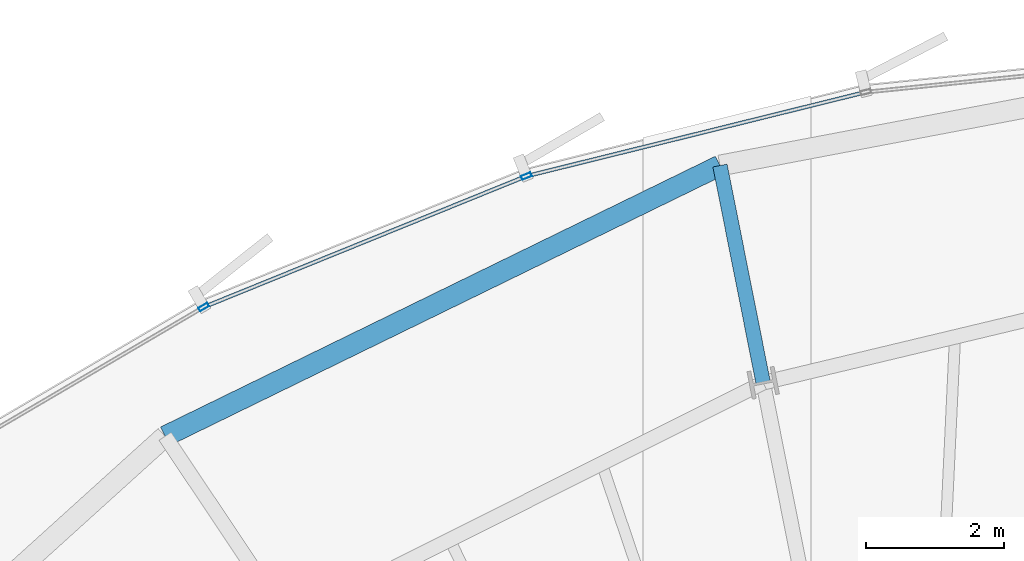
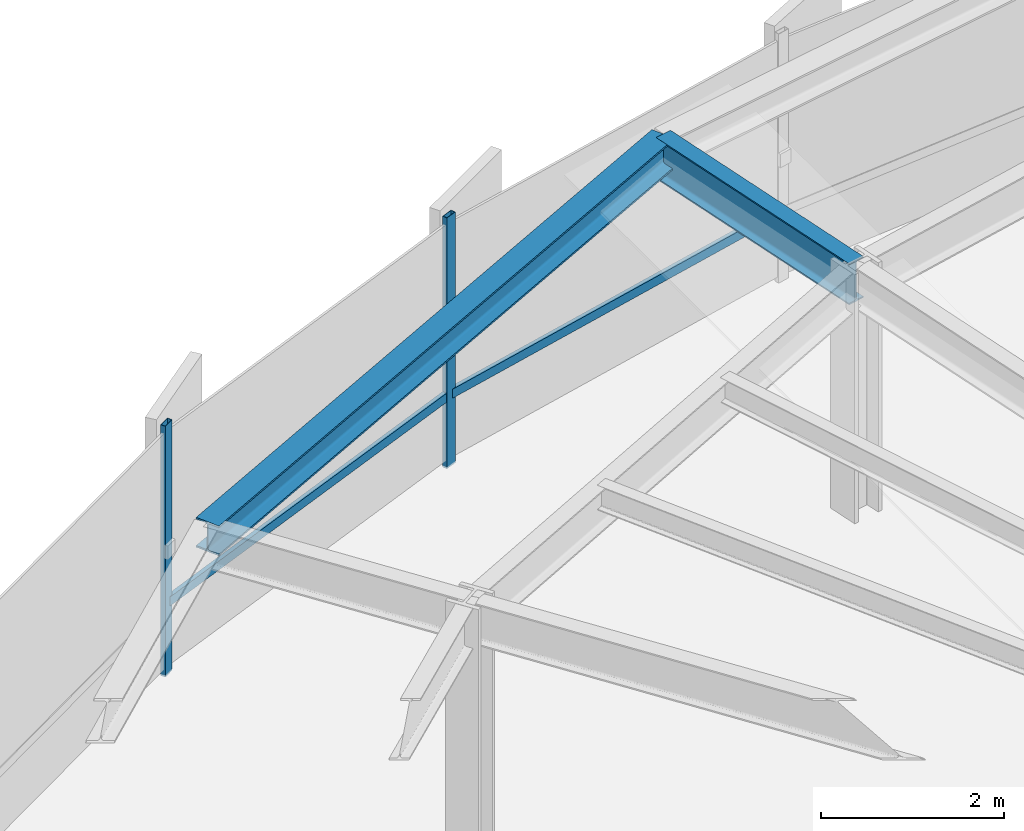
# One storey, part 21 of 35: 4 members, 2 beams, 1 element without a shape of its own.
"""IFC4 building model written with IfcOpenShell, lengths in metres."""

import ifcopenshell
import ifcopenshell.guid

model = None  # the IFC model being written
_history = None  # IfcOwnerHistory: only IFC2X3 demands one
_inside = {}  # id of a spatial element -> (the spatial element, [elements in it])
_under = {}  # id of a project, library or spatial element -> (it, [spatial elements below it])
_declared = {}  # id of a project -> (the project, [libraries it declares])
_typed = {}  # id of a type object -> (the type object, [elements of that type])
_made_of = {}  # id of a material, layer set ... -> (it, [elements and type objects made of it])


def new_model(schema):
    """Start an empty IFC model of exactly this schema.

    Asked for "IFC4X3", IfcOpenShell would pick the latest addendum, in which some entities
    have other attributes; the version numbers below select the first issue.
    IFC2X3 requires an IfcOwnerHistory on every rooted entity: one is made here for all.
    """
    global model, _history
    if schema == "IFC4X3":
        model = ifcopenshell.file(schema_version=(4, 3, 0, 0))
    else:
        model = ifcopenshell.file(schema=schema)
    _inside.clear()
    _under.clear()
    _declared.clear()
    _typed.clear()
    _made_of.clear()
    _history = None
    if model.schema == "IFC2X3":
        org = make("IfcOrganization", Name="unknown")
        user = make(
            "IfcPersonAndOrganization",
            ThePerson=make("IfcPerson", FamilyName="unknown"),
            TheOrganization=org,
        )
        app = make(
            "IfcApplication",
            ApplicationDeveloper=org,
            Version="unknown",
            ApplicationFullName="unknown",
            ApplicationIdentifier="unknown",
        )
        _history = make(
            "IfcOwnerHistory",
            OwningUser=user,
            OwningApplication=app,
            ChangeAction="ADDED",
            CreationDate=0,
        )
    return model


def make(cls, **values):
    """One entity of the class cls with the attributes given. An attribute that is None is left unset."""
    return model.create_entity(
        cls, **{name: value for name, value in values.items() if value is not None}
    )


def rooted(cls, **values):
    """An entity with a GlobalId (a new one), such as an element, a storey or a relation."""
    return make(cls, GlobalId=ifcopenshell.guid.new(), OwnerHistory=_history, **values)


def si_unit(unit_type, name, prefix=None):
    """IfcSIUnit, for example si_unit("LENGTHUNIT", "METRE", prefix="MILLI")."""
    return make("IfcSIUnit", UnitType=unit_type, Prefix=prefix, Name=name)


def assignment(units):
    """IfcUnitAssignment: the units of a project."""
    return None if units is None else make("IfcUnitAssignment", Units=units)


def point(xyz):
    """IfcCartesianPoint."""
    return None if xyz is None else make("IfcCartesianPoint", Coordinates=xyz)


def direction(xyz):
    """IfcDirection."""
    return None if xyz is None else make("IfcDirection", DirectionRatios=xyz)


def frame(location, z_axis=None, x_axis=None):
    """IfcAxis2Placement3D, a coordinate frame: its origin and axes. An axis left out is left unset."""
    return make(
        "IfcAxis2Placement3D",
        Location=point(location),
        Axis=direction(z_axis),
        RefDirection=direction(x_axis),
    )


def frame_2d(location, x_axis=None):
    """IfcAxis2Placement2D, a coordinate frame in the plane: its origin and x axis."""
    return make(
        "IfcAxis2Placement2D", Location=point(location), RefDirection=direction(x_axis)
    )


def origin():
    """The frame at (0, 0, 0) with its axes left unset."""
    return frame((0.0, 0.0, 0.0))


def origin_2d():
    """The frame at (0, 0) in the plane with its x axis left unset."""
    return frame_2d((0.0, 0.0))


def place(relative_to, where):
    """IfcLocalPlacement: puts the frame where relative to a parent placement (None: the world)."""
    return make(
        "IfcLocalPlacement", PlacementRelTo=relative_to, RelativePlacement=where
    )


def context(
    kind, dimensions, precision=None, world=None, true_north=None, identifier=None
):
    """IfcGeometricRepresentationContext, for example the 3D "Model" context."""
    return make(
        "IfcGeometricRepresentationContext",
        ContextIdentifier=identifier,
        ContextType=kind,
        CoordinateSpaceDimension=dimensions,
        Precision=precision,
        WorldCoordinateSystem=world,
        TrueNorth=true_north,
    )


def subcontext(parent, identifier, kind, view, scale=None):
    """IfcGeometricRepresentationSubContext, for example "Body" below "Model"."""
    return make(
        "IfcGeometricRepresentationSubContext",
        ContextIdentifier=identifier,
        ContextType=kind,
        ParentContext=parent,
        TargetScale=scale,
        TargetView=view,
    )


def project(units=None, contexts=None):
    """IfcProject with its units and contexts."""
    return rooted(
        "IfcProject",
        Name="project",
        RepresentationContexts=contexts,
        UnitsInContext=assignment(units),
    )


def spatial(cls, under=None, at=None, **own):
    """A site, building, storey or space (cls), placed at a placement, below another one or the project."""
    s = rooted(cls, ObjectPlacement=at, **own)
    if under is not None:
        _under.setdefault(under.id(), (under, []))[1].append(s)
    return s


def profile(cls, at=None, kind="AREA", **sizes):
    """A parametric profile (cls). Its sizes go by their IFC names, for example OverallWidth=200.0."""
    return make(cls, ProfileType=kind, Position=at, **sizes)


def hollow_rectangle(**sizes):
    """IfcRectangleHollowProfileDef."""
    return profile("IfcRectangleHollowProfileDef", **sizes)


def i_section(**sizes):
    """IfcIShapeProfileDef."""
    return profile("IfcIShapeProfileDef", **sizes)


def extrude(swept, where, along, depth):
    """IfcExtrudedAreaSolid: the profile swept, set in the frame where, extruded along a direction by depth."""
    return make(
        "IfcExtrudedAreaSolid",
        SweptArea=swept,
        Position=where,
        ExtrudedDirection=direction(along),
        Depth=depth,
    )


def shape(context_of_items, identifier, shape_type, items):
    """IfcShapeRepresentation: the items that make up one representation, for example the "Body"."""
    return make(
        "IfcShapeRepresentation",
        ContextOfItems=context_of_items,
        RepresentationIdentifier=identifier,
        RepresentationType=shape_type,
        Items=items,
    )


def source(mapping_origin, context_of_items, identifier, shape_type, items):
    """IfcRepresentationMap: a shape defined once, which mapped items show again and again."""
    return make(
        "IfcRepresentationMap",
        MappingOrigin=mapping_origin,
        MappedRepresentation=shape(context_of_items, identifier, shape_type, items),
    )


def transform(
    local_origin,
    x_axis=None,
    y_axis=None,
    z_axis=None,
    scale=None,
    scale2=None,
    scale3=None,
    uniform=True,
):
    """IfcCartesianTransformationOperator3D, or its non-uniform kind. x_axis, y_axis, z_axis: its Axis1, 2, 3."""
    if uniform:
        return make(
            "IfcCartesianTransformationOperator3D",
            Axis1=direction(x_axis),
            Axis2=direction(y_axis),
            LocalOrigin=point(local_origin),
            Scale=scale,
            Axis3=direction(z_axis),
        )
    return make(
        "IfcCartesianTransformationOperator3DnonUniform",
        Axis1=direction(x_axis),
        Axis2=direction(y_axis),
        LocalOrigin=point(local_origin),
        Scale=scale,
        Axis3=direction(z_axis),
        Scale2=scale2,
        Scale3=scale3,
    )


def mapped(mapping_source, mapping_target):
    """IfcMappedItem: shows the shape of a source again, moved by a transform."""
    return make(
        "IfcMappedItem", MappingSource=mapping_source, MappingTarget=mapping_target
    )


def material(Name=None, Category=None):
    """IfcMaterial."""
    return make("IfcMaterial", Name=Name, Category=Category)


def layer(
    of_material, thickness, ventilated=None, Name=None, Category=None, Priority=None
):
    """IfcMaterialLayer: one layer of a wall or slab, of a material (None: an air gap)."""
    return make(
        "IfcMaterialLayer",
        Material=of_material,
        LayerThickness=thickness,
        IsVentilated=ventilated,
        Name=Name,
        Category=Category,
        Priority=Priority,
    )


def layer_set(layers, Name=None):
    """IfcMaterialLayerSet."""
    return make("IfcMaterialLayerSet", MaterialLayers=layers, LayerSetName=Name)


def material_profile(
    of_material, cross_section, Name=None, Category=None, Priority=None
):
    """IfcMaterialProfile: a cross section and its material."""
    return make(
        "IfcMaterialProfile",
        Name=Name,
        Material=of_material,
        Profile=cross_section,
        Priority=Priority,
        Category=Category,
    )


def profile_set(profiles, Name=None, composite=None):
    """IfcMaterialProfileSet."""
    return make(
        "IfcMaterialProfileSet",
        Name=Name,
        MaterialProfiles=profiles,
        CompositeProfile=composite,
    )


def made_of(thing, what):
    """Note that an element or type object is made of a material, layer set ...; save() writes the relation."""
    if what is not None:
        _made_of.setdefault(what.id(), (what, []))[1].append(thing)
    return thing


def type_object(cls, material=None, **own):
    """A type object (cls), such as IfcWallType, which elements share."""
    return made_of(rooted(cls, **own), material)


def element(
    cls,
    number,
    at=None,
    inside=None,
    cuts=None,
    type_object=None,
    material=None,
    context=None,
    identifier="Body",
    shape_type=None,
    held_by="IfcProductDefinitionShape",
    body=None,
    shapes=None,
    **own,
):
    """One element of the class cls, such as IfcWall. Its Tag is "e" and its number.

    at: its placement. inside: the storey or other place that contains it. cuts: it is an
    opening in that element (IfcRelVoidsElement). A single representation is given by context,
    identifier, shape_type and body (its items); several are given by shapes. held_by: the class
    of the entity that holds the representations. save() writes the other relations.
    """
    e = rooted(cls, Tag="e%d" % number, ObjectPlacement=at, **own)
    if body is not None:
        shapes = [shape(context, identifier, shape_type, body)]
    if shapes is not None:
        e.Representation = make(held_by, Representations=shapes)
    if inside is not None:
        _inside.setdefault(inside.id(), (inside, []))[1].append(e)
    if cuts is not None:
        rooted(
            "IfcRelVoidsElement", RelatingBuildingElement=cuts, RelatedOpeningElement=e
        )
    if type_object is not None:
        _typed.setdefault(type_object.id(), (type_object, []))[1].append(e)
    return made_of(e, material)


def aggregate(whole, parts):
    """IfcRelAggregates: a whole, such as a stair, and the parts it consists of."""
    return rooted("IfcRelAggregates", RelatingObject=whole, RelatedObjects=parts)


def save(model, path):
    """Write the relations noted so far, then the file.

    IfcRelAggregates (storeys below a building ...), IfcRelContainedInSpatialStructure (elements
    in a storey), IfcRelDefinesByType, IfcRelAssociatesMaterial and IfcRelDeclares: one each for
    every whole, place, type object, material and project.
    """
    for whole, parts in _under.values():
        aggregate(whole, parts)
    for where, things in _inside.values():
        rooted(
            "IfcRelContainedInSpatialStructure",
            RelatedElements=things,
            RelatingStructure=where,
        )
    for kind, things in _typed.values():
        rooted("IfcRelDefinesByType", RelatedObjects=things, RelatingType=kind)
    for what, things in _made_of.values():
        rooted("IfcRelAssociatesMaterial", RelatedObjects=things, RelatingMaterial=what)
    for by, libraries in _declared.values():
        rooted("IfcRelDeclares", RelatingContext=by, RelatedDefinitions=libraries)
    model.write(path)


model = new_model("IFC4")

# Units and contexts
model_context = context("Model", 3, precision=1e-05, world=origin(), true_north=direction((0.0, 1.0)))
body_context = subcontext(model_context, "Body", "Model", "MODEL_VIEW")
ifc_project = project(units=[si_unit("LENGTHUNIT", "METRE"), si_unit("AREAUNIT", "SQUARE_METRE"), si_unit("VOLUMEUNIT", "CUBIC_METRE"), si_unit("PLANEANGLEUNIT", "RADIAN"), si_unit("MASSUNIT", "GRAM", prefix="KILO"), si_unit("THERMODYNAMICTEMPERATUREUNIT", "KELVIN")], contexts=[model_context])

# Site, building, storey
site_placement = place(None, origin())
site = spatial("IfcSite", under=ifc_project, at=site_placement, CompositionType="ELEMENT")
building_placement = place(site_placement, origin())
building = spatial("IfcBuilding", under=site, at=building_placement, Name="Kethvar Cultural Tower", CompositionType="ELEMENT")
storey_placement = place(building_placement, frame((0.0, 0.0, 107.199951171875)))
storey = spatial("IfcBuildingStorey", under=building, at=storey_placement, Name="L26", CompositionType="ELEMENT", Elevation=107.199951171875)

# Beams
ifc_material_1 = material(Name="Steel S355J2", Category="steel")
ifc_material_profile_1 = material_profile(ifc_material_1, i_section(OverallWidth=0.2099609375, OverallDepth=0.550048828125, WebThickness=0.010986328125, FlangeThickness=0.01708984375, FilletRadius=0.02392578125, at=origin_2d()), Name="Steel S355J2 — IPE550")
ifc_profile_set_1 = profile_set([ifc_material_profile_1], Name="Steel S355J2 — IPE550")
beam_type_1 = type_object("IfcBeamType", Name="BM-IPE550", PredefinedType="BEAM", material=ifc_profile_set_1)
shared_shape_1 = source(origin(), body_context, "Body", "SweptSolid", [
    extrude(i_section(OverallWidth=0.2099609375, OverallDepth=0.550048828125, WebThickness=0.010986328125, FlangeThickness=0.01708984375, FilletRadius=0.02392578125, at=origin_2d()), origin(), (0.0, 0.0, 1.0), 3.199951171875),
])
beam_1_placement = place(storey_placement, frame((42.9189453125, 47.311279296875, 3.072998046875), z_axis=(-0.195088965533, 0.980785550224, 0.0), x_axis=(-0.980785550224, -0.195088965533, 0.0)))
element("IfcBeam", 1, at=beam_1_placement, inside=storey, type_object=beam_type_1, Name="L26 Perimeter Cantilever Beam RC-05", PredefinedType="BEAM", context=body_context, shape_type="MappedRepresentation", body=[
    mapped(shared_shape_1, transform((0.0, 0.0, 0.0), scale=1.0)),
])
ifc_material_profile_2 = material_profile(ifc_material_1, i_section(OverallWidth=0.300048828125, OverallDepth=0.39990234375, WebThickness=0.013427734375, FlangeThickness=0.02392578125, FilletRadius=0.027099609375, at=origin_2d()), Name="Steel S355J2 — HEB400")
ifc_profile_set_2 = profile_set([ifc_material_profile_2], Name="Steel S355J2 — HEB400")
beam_type_2 = type_object("IfcBeamType", Name="BM-SP400", PredefinedType="SPANDREL", material=ifc_profile_set_2)
shared_shape_2 = source(origin(), body_context, "Body", "SweptSolid", [
    extrude(i_section(OverallWidth=0.300048828125, OverallDepth=0.39990234375, WebThickness=0.013427734375, FlangeThickness=0.02392578125, FilletRadius=0.027099609375, at=origin_2d()), origin(), (0.0, 0.0, 1.0), 8.91845703125),
])
beam_2_placement = place(storey_placement, frame((42.294677734375, 50.44970703125, 3.14794921875), z_axis=(-0.898683713341, -0.438597290662, 0.0), x_axis=(0.438597290662, -0.898683713341, 0.0)))
element("IfcBeam", 2, at=beam_2_placement, inside=storey, type_object=beam_type_2, Name="L26 Perimeter Spandrel Beam SP-05", PredefinedType="SPANDREL", context=body_context, shape_type="MappedRepresentation", body=[
    mapped(shared_shape_2, transform((0.0, 0.0, 0.0), scale=1.0)),
])

# Curtain wall, members
ifc_material_2 = material(Name="Aluminium 6063-T6", Category="aluminium")
ifc_layer = layer(ifc_material_2, 0.179931640625, Name="Aluminium 6063-T6", Category="aluminium")
ifc_layer_set = layer_set([ifc_layer], Name="Aluminium 6063-T6 (180 mm)")
curtain_wall_type = type_object("IfcCurtainWallType", Name="CW-SYS-03-Z2", PredefinedType="NOTDEFINED", material=ifc_layer_set)
curtain_wall_placement = place(storey_placement, origin())
curtain_wall = element("IfcCurtainWall", 3, at=curtain_wall_placement, inside=storey, type_object=curtain_wall_type, Name="L26 Curtain Wall Run 02", PredefinedType="NOTDEFINED")
ifc_material_profile_3 = material_profile(ifc_material_2, hollow_rectangle(XDim=0.06005859375, YDim=0.14990234375, WallThickness=0.0048828125, at=origin_2d()), Name="Aluminium 6063-T6 — RHS150x60x5")
ifc_profile_set_3 = profile_set([ifc_material_profile_3], Name="Aluminium 6063-T6 — RHS150x60x5")
member_type_1 = type_object("IfcMemberType", Name="CW-SYS-03-Z2-MUL", PredefinedType="MULLION", material=ifc_profile_set_3)
shared_shape_3 = source(origin(), body_context, "Body", "SweptSolid", [
    extrude(hollow_rectangle(XDim=0.06005859375, YDim=0.14990234375, WallThickness=0.0048828125, at=origin_2d()), origin(), (0.0, 0.0, 1.0), 3.35009765625),
])
member_1_placement = place(storey_placement, frame((39.498779296875, 50.297119140625, 0.0), z_axis=(0.0, 0.0, 1.0), x_axis=(0.376256604861, -0.926515497603, 0.0)))
member_1 = element("IfcMember", 4, at=member_1_placement, type_object=member_type_1, Name="CW-L26-R02 Mullion 4", PredefinedType="MULLION", context=body_context, shape_type="MappedRepresentation", body=[
    mapped(shared_shape_3, transform((0.0, 0.0, 0.0), scale=1.0)),
])
member_2_placement = place(storey_placement, frame((34.83740234375, 48.405517578125, 0.0), z_axis=(0.0, 0.0, 1.0), x_axis=(0.505853108583, -0.862619633753, 0.0)))
member_2 = element("IfcMember", 5, at=member_2_placement, type_object=member_type_1, Name="CW-L26-R02 Mullion 5", PredefinedType="MULLION", context=body_context, shape_type="MappedRepresentation", body=[
    mapped(shared_shape_3, transform((0.0, 0.0, 0.0), scale=1.0)),
])
ifc_material_profile_4 = material_profile(ifc_material_2, hollow_rectangle(XDim=0.054931640625, YDim=0.1201171875, WallThickness=0.00390625, at=origin_2d()), Name="Aluminium 6063-T6 — RHS120x55x4")
ifc_profile_set_4 = profile_set([ifc_material_profile_4], Name="Aluminium 6063-T6 — RHS120x55x4")
member_type_2 = type_object("IfcMemberType", Name="CW-SYS-03-Z2-TRN", PredefinedType="USERDEFINED", material=ifc_profile_set_4)
shared_shape_4 = source(origin(), body_context, "Body", "SweptSolid", [
    extrude(hollow_rectangle(XDim=0.054931640625, YDim=0.1201171875, WallThickness=0.00390625, at=origin_2d()), origin(), (0.0, 0.0, 1.0), 4.981201171875),
])
member_3_placement = place(storey_placement, frame((44.360107421875, 51.500244140625, 0.949951171875), z_axis=(-0.970659243514, -0.240459212719, 0.0), x_axis=(0.240459212719, -0.970659243514, 0.0)))
member_3 = element("IfcMember", 6, at=member_3_placement, type_object=member_type_2, Name="CW-L26-R02 Transom 3", ObjectType="TRANSOM", PredefinedType="USERDEFINED", context=body_context, shape_type="MappedRepresentation", body=[
    mapped(shared_shape_4, transform((0.0, 0.0, 0.0), scale=1.0)),
])
shared_shape_5 = source(origin(), body_context, "Body", "SweptSolid", [
    extrude(hollow_rectangle(XDim=0.054931640625, YDim=0.1201171875, WallThickness=0.00390625, at=origin_2d()), origin(), (0.0, 0.0, 1.0), 4.960693359375),
])
member_4_placement = place(storey_placement, frame((39.458740234375, 50.281005859375, 0.949951171875), z_axis=(-0.926501967473, -0.376289920498, 0.0), x_axis=(0.376289920498, -0.926501967473, 0.0)))
member_4 = element("IfcMember", 7, at=member_4_placement, type_object=member_type_2, Name="CW-L26-R02 Transom 4", ObjectType="TRANSOM", PredefinedType="USERDEFINED", context=body_context, shape_type="MappedRepresentation", body=[
    mapped(shared_shape_5, transform((0.0, 0.0, 0.0), scale=1.0)),
])
aggregate(curtain_wall, [member_1, member_2, member_3, member_4])

save(model, "model.ifc")
